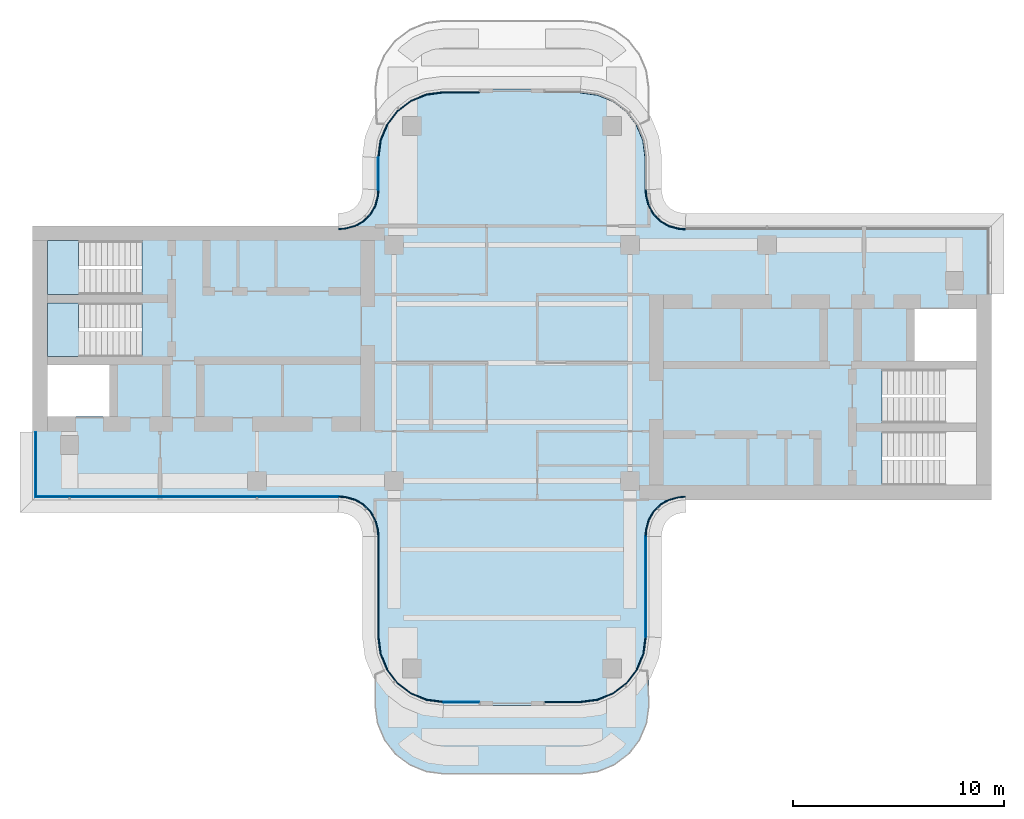
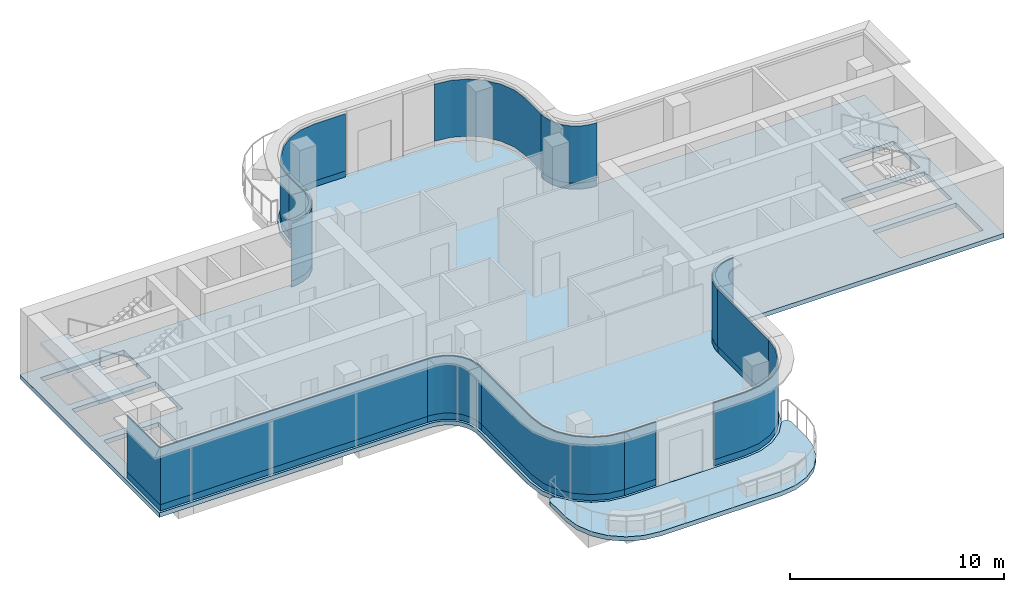
# One storey, part 6 of 11: 25 plates, 4 slabs, 15 elements without a shape of their own.
"""IFC4 building model written with IfcOpenShell, lengths in metres."""

from ifc_helpers import new_model, si_unit, direction, frame, origin, place, context, subcontext, project, spatial, polyline, outline, extrude, source, transform, mapped, material, layer, layer_set, type_object, element, aggregate, save


model = new_model("IFC4")

# Units and contexts
model_context = context("Model", 3, precision=1e-05, world=origin(), true_north=direction((0.0, 1.0)))
body_context = subcontext(model_context, "Body", "Model", "MODEL_VIEW")
ifc_project = project(units=[si_unit("LENGTHUNIT", "METRE"), si_unit("AREAUNIT", "SQUARE_METRE"), si_unit("VOLUMEUNIT", "CUBIC_METRE"), si_unit("PLANEANGLEUNIT", "RADIAN"), si_unit("MASSUNIT", "GRAM", prefix="KILO")], contexts=[model_context])

# Site, building, storey
site_placement = place(None, origin())
site = spatial("IfcSite", under=ifc_project, at=site_placement, CompositionType="ELEMENT")
building_placement = place(site_placement, origin())
building = spatial("IfcBuilding", under=site, at=building_placement, Name="Trellis Farm Tower", CompositionType="ELEMENT")
storey_placement = place(building_placement, frame((0.0, 0.0, 346.10009765625)))
storey = spatial("IfcBuildingStorey", under=building, at=storey_placement, Name="L78", CompositionType="ELEMENT", Elevation=346.10009765625)

# Curtain wall, plate
ifc_material_1 = material(Name="Aluminium and glass curtain wall", Category="aluminium")
ifc_layer_1 = layer(ifc_material_1, 0.176025390625)
ifc_layer_set_1 = layer_set([ifc_layer_1], Name="CROWN LANTERN CURTAIN WALL CW5")
curtain_wall_type = type_object("IfcCurtainWallType", Name="CROWN LANTERN CURTAIN WALL CW5", PredefinedType="NOTDEFINED", material=ifc_layer_set_1)
placement_1 = place(storey_placement, origin())
curtain_wall_1 = element("IfcCurtainWall", 1, at=placement_1, inside=storey, type_object=curtain_wall_type, Name="CW5 002", PredefinedType="NOTDEFINED")
ifc_material_2 = material(Name="Clear insulated glass", Category="glass")
ifc_layer_2 = layer(ifc_material_2, 0.055908203125)
ifc_layer_set_2 = layer_set([ifc_layer_2], Name="CW5 GLASS PANEL 56")
plate_type_1 = type_object("IfcPlateType", Name="CW5 GLASS PANEL 56", PredefinedType="CURTAIN_PANEL", material=ifc_layer_set_2)
placement_2 = place(storey_placement, frame((0.0, 0.0, 0.349853515625)))
plate_1 = element("IfcPlate", 2, at=placement_2, type_object=plate_type_1, Name="PL5 002", PredefinedType="CURTAIN_PANEL", context=body_context, shape_type="SweptSolid", body=[
    extrude(outline(polyline([(-3.2421875, -16.1298828125), (-1.56005859375, -16.1298828125), (-1.56005859375, -16.073974609375), (-3.238525390625, -16.073974609375), (-3.2421875, -16.1298828125)])), origin(), (0.0, 0.0, 1.0), 3.25),
])

curtain_wall_2 = element("IfcCurtainWall", 3, at=placement_1, inside=storey, type_object=curtain_wall_type, Name="CW5 003", PredefinedType="NOTDEFINED")
plate_2 = element("IfcPlate", 4, at=placement_2, type_object=plate_type_1, Name="PL5 003", PredefinedType="CURTAIN_PANEL", context=body_context, shape_type="SweptSolid", body=[
    extrude(outline(polyline([(1.56005859375, -16.1298828125), (3.2421875, -16.1298828125), (4.059814453125, -16.0224609375), (4.814453125, -15.709716796875), (5.46240234375, -15.21240234375), (5.959716796875, -14.564453125), (6.2724609375, -13.809814453125), (6.3798828125, -12.9921875), (6.323974609375, -12.988525390625), (6.2177734375, -13.795166015625), (5.910888671875, -14.5361328125), (5.422607421875, -15.172607421875), (4.7861328125, -15.660888671875), (4.045166015625, -15.9677734375), (3.238525390625, -16.073974609375), (1.56005859375, -16.073974609375), (1.56005859375, -16.1298828125)])), origin(), (0.0, 0.0, 1.0), 3.25),
])

curtain_wall_3 = element("IfcCurtainWall", 5, at=placement_1, inside=storey, type_object=curtain_wall_type, Name="CW5 011", PredefinedType="NOTDEFINED")
plate_3 = element("IfcPlate", 6, at=placement_2, type_object=plate_type_1, Name="PL5 011", PredefinedType="CURTAIN_PANEL", context=body_context, shape_type="SweptSolid", body=[
    extrude(outline(polyline([(-1.56005859375, 12.8798828125), (-3.2421875, 12.8798828125), (-4.059814453125, 12.7724609375), (-4.814453125, 12.459716796875), (-5.46240234375, 11.96240234375), (-5.959716796875, 11.314453125), (-6.2724609375, 10.559814453125), (-6.3798828125, 9.7421875), (-6.323974609375, 9.738525390625), (-6.2177734375, 10.545166015625), (-5.910888671875, 11.2861328125), (-5.422607421875, 11.922607421875), (-4.7861328125, 12.410888671875), (-4.045166015625, 12.7177734375), (-3.238525390625, 12.823974609375), (-1.56005859375, 12.823974609375), (-1.56005859375, 12.8798828125)])), origin(), (0.0, 0.0, 1.0), 3.25),
])

# Plate
ifc_material_3 = material(Name="Sandstone faced insulated panel", Category="masonry")
ifc_layer_3 = layer(ifc_material_3, 0.044921875)
ifc_layer_set_3 = layer_set([ifc_layer_3], Name="CW5 STONE SPANDREL PANEL 45")
plate_type_2 = type_object("IfcPlateType", Name="CW5 STONE SPANDREL PANEL 45", PredefinedType="CURTAIN_PANEL", material=ifc_layer_set_3)
plate_4 = element("IfcPlate", 7, at=placement_1, type_object=plate_type_2, Name="PS5 002", PredefinedType="CURTAIN_PANEL", context=body_context, shape_type="SweptSolid", body=[
    extrude(outline(polyline([(-3.2421875, -16.1298828125), (-1.56005859375, -16.1298828125), (-1.56005859375, -16.0849609375), (-3.2392578125, -16.0849609375), (-3.2421875, -16.1298828125)])), origin(), (0.0, 0.0, 1.0), 0.349853515625),
])

aggregate(curtain_wall_1, [plate_1, plate_4])

plate_5 = element("IfcPlate", 8, at=placement_1, type_object=plate_type_2, Name="PS5 003", PredefinedType="CURTAIN_PANEL", context=body_context, shape_type="SweptSolid", body=[
    extrude(outline(polyline([(1.56005859375, -16.1298828125), (3.2421875, -16.1298828125), (4.059814453125, -16.0224609375), (4.814453125, -15.709716796875), (5.46240234375, -15.21240234375), (5.959716796875, -14.564453125), (6.2724609375, -13.809814453125), (6.3798828125, -12.9921875), (6.3349609375, -12.9892578125), (6.228515625, -13.798095703125), (5.92041015625, -14.541748046875), (5.430419921875, -15.180419921875), (4.791748046875, -15.67041015625), (4.048095703125, -15.978515625), (3.2392578125, -16.0849609375), (1.56005859375, -16.0849609375), (1.56005859375, -16.1298828125)])), origin(), (0.0, 0.0, 1.0), 0.349853515625),
])

aggregate(curtain_wall_2, [plate_2, plate_5])

plate_6 = element("IfcPlate", 9, at=placement_1, type_object=plate_type_2, Name="PS5 011", PredefinedType="CURTAIN_PANEL", context=body_context, shape_type="SweptSolid", body=[
    extrude(outline(polyline([(-1.56005859375, 12.8798828125), (-3.2421875, 12.8798828125), (-4.059814453125, 12.7724609375), (-4.814453125, 12.459716796875), (-5.46240234375, 11.96240234375), (-5.959716796875, 11.314453125), (-6.2724609375, 10.559814453125), (-6.3798828125, 9.7421875), (-6.3349609375, 9.7392578125), (-6.228515625, 10.548095703125), (-5.92041015625, 11.291748046875), (-5.430419921875, 11.930419921875), (-4.791748046875, 12.42041015625), (-4.048095703125, 12.728515625), (-3.2392578125, 12.8349609375), (-1.56005859375, 12.8349609375), (-1.56005859375, 12.8798828125)])), origin(), (0.0, 0.0, 1.0), 0.349853515625),
])

aggregate(curtain_wall_3, [plate_3, plate_6])

# Slabs
ifc_material_4 = material(Name="Concrete C40/50", Category="concrete")
ifc_layer_4 = layer(ifc_material_4, 0.25)
ifc_layer_set_4 = layer_set([ifc_layer_4], Name="Terrace slab on composite deck 250")
slab_type_1 = type_object("IfcSlabType", Name="Terrace slab on composite deck 250", PredefinedType="FLOOR", material=ifc_layer_set_4)
placement_3 = place(storey_placement, frame((0.0, 0.0, -0.25)))
element("IfcSlab", 10, at=placement_3, inside=storey, type_object=slab_type_1, Name="Terrace slab", PredefinedType="FLOOR", context=body_context, shape_type="SweptSolid", body=[
    extrude(outline(polyline([(-6.228271484375, -14.544921875), (-6.052978515625, -14.64111328125), (-5.548583984375, -15.298583984375), (-4.875244140625, -15.815185546875), (-4.09130859375, -16.139892578125), (-3.25, -16.25048828125), (3.25, -16.25048828125), (4.09130859375, -16.139892578125), (4.875244140625, -15.815185546875), (5.548583984375, -15.298583984375), (6.052978515625, -14.64111328125), (6.228271484375, -14.544921875), (6.4189453125, -14.609619140625), (6.5, -14.7939453125), (6.5, -16.233642578125), (6.497802734375, -16.26611328125), (6.3935546875, -17.05859375), (6.376708984375, -17.12158203125), (6.0771484375, -17.844482421875), (6.04443359375, -17.901123046875), (5.568115234375, -18.52197265625), (5.52197265625, -18.568115234375), (4.901123046875, -19.04443359375), (4.844482421875, -19.0771484375), (4.12158203125, -19.376708984375), (4.05859375, -19.3935546875), (3.26611328125, -19.497802734375), (3.233642578125, -19.5), (-3.233642578125, -19.5), (-3.26611328125, -19.497802734375), (-4.05859375, -19.3935546875), (-4.12158203125, -19.376708984375), (-4.844482421875, -19.0771484375), (-4.901123046875, -19.04443359375), (-5.52197265625, -18.568115234375), (-5.568115234375, -18.52197265625), (-6.04443359375, -17.901123046875), (-6.0771484375, -17.844482421875), (-6.376708984375, -17.12158203125), (-6.3935546875, -17.05859375), (-6.497802734375, -16.26611328125), (-6.5, -16.233642578125), (-6.5, -14.7939453125), (-6.4189453125, -14.609619140625), (-6.228271484375, -14.544921875)])), origin(), (0.0, 0.0, 1.0), 0.25),
])
ifc_layer_5 = layer(ifc_material_4, 0.25)
ifc_layer_set_5 = layer_set([ifc_layer_5], Name="Composite deck floor slab 250")
slab_type_2 = type_object("IfcSlabType", Name="Composite deck floor slab 250", PredefinedType="FLOOR", material=ifc_layer_set_5)
shared_shape_1 = source(origin(), body_context, "Body", "SweptSolid", [
    extrude(outline(polyline([(-22.75, 6.5), (-8.2314453125, 6.5), (-8.01953125, 6.513916015625), (-7.91552734375, 6.527587890625), (-7.508544921875, 6.63671875), (-7.144287109375, 6.846923828125), (-6.846923828125, 7.144287109375), (-6.63671875, 7.508544921875), (-6.527587890625, 7.91552734375), (-6.513916015625, 8.01953125), (-6.5, 8.2314453125), (-6.5, 9.75), (-6.389404296875, 10.59130859375), (-6.064697265625, 11.375), (-5.548095703125, 12.048095703125), (-4.875, 12.564697265625), (-4.09130859375, 12.889404296875), (-3.25, 13.0), (3.25, 13.0), (4.09130859375, 12.889404296875), (4.875, 12.564697265625), (5.548095703125, 12.048095703125), (6.064697265625, 11.375), (6.389404296875, 10.59130859375), (6.5, 9.75), (6.5, 8.2314453125), (6.513916015625, 8.01953125), (6.527587890625, 7.91552734375), (6.63671875, 7.508544921875), (6.846923828125, 7.144287109375), (7.144287109375, 6.846923828125), (7.508544921875, 6.63671875), (7.91552734375, 6.527587890625), (8.01953125, 6.513916015625), (8.2314453125, 6.5), (22.75, 6.5), (22.75, -6.5), (8.2314453125, -6.5), (8.01953125, -6.513916015625), (7.91552734375, -6.527587890625), (7.508544921875, -6.63671875), (7.144287109375, -6.846923828125), (6.846923828125, -7.144287109375), (6.63671875, -7.508544921875), (6.527587890625, -7.91552734375), (6.513916015625, -8.01953125), (6.5, -8.2314453125), (6.5, -13.0), (6.389404296875, -13.84130859375), (6.064697265625, -14.625), (5.548095703125, -15.298095703125), (4.875, -15.814697265625), (4.09130859375, -16.139404296875), (3.25, -16.25), (-3.25, -16.25), (-4.09130859375, -16.139404296875), (-4.875, -15.814697265625), (-5.548095703125, -15.298095703125), (-6.064697265625, -14.625), (-6.389404296875, -13.84130859375), (-6.5, -13.0), (-6.5, -8.2314453125), (-6.513916015625, -8.01953125), (-6.527587890625, -7.91552734375), (-6.63671875, -7.508544921875), (-6.846923828125, -7.144287109375), (-7.144287109375, -6.846923828125), (-7.508544921875, -6.63671875), (-7.91552734375, -6.527587890625), (-8.01953125, -6.513916015625), (-8.2314453125, -6.5), (-22.75, -6.5), (-22.75, 6.5)]), holes=[polyline([(22.050048828125, -5.800048828125), (22.050048828125, -3.25), (17.56005859375, -3.25), (17.56005859375, -4.449951171875), (17.550048828125, -4.449951171875), (17.550048828125, -4.60009765625), (17.56201171875, -4.60009765625), (17.56201171875, -5.800048828125), (22.050048828125, -5.800048828125)]), polyline([(17.56201171875, -2.85009765625), (22.050048828125, -2.85009765625), (22.050048828125, -0.300048828125), (17.56005859375, -0.300048828125), (17.56005859375, -1.5), (17.550048828125, -1.5), (17.550048828125, -1.64990234375), (17.56201171875, -1.64990234375), (17.56201171875, -2.85009765625)]), polyline([(-22.050048828125, -2.550048828125), (-19.10009765625, -2.550048828125), (-19.10009765625, -0.10009765625), (-22.050048828125, -0.10009765625), (-22.050048828125, -2.550048828125)]), polyline([(19.10009765625, 2.550048828125), (19.10009765625, 0.10009765625), (22.050048828125, 0.10009765625), (22.050048828125, 2.550048828125), (19.10009765625, 2.550048828125)]), polyline([(-17.56201171875, 2.85009765625), (-22.050048828125, 2.85009765625), (-22.050048828125, 0.300048828125), (-17.56005859375, 0.300048828125), (-17.56005859375, 1.5), (-17.550048828125, 1.5), (-17.550048828125, 1.64990234375), (-17.56201171875, 1.64990234375), (-17.56201171875, 2.85009765625)]), polyline([(-17.56201171875, 5.800048828125), (-22.050048828125, 5.800048828125), (-22.050048828125, 3.25), (-17.56005859375, 3.25), (-17.56005859375, 4.449951171875), (-17.550048828125, 4.449951171875), (-17.550048828125, 4.60009765625), (-17.56201171875, 4.60009765625), (-17.56201171875, 5.800048828125)])]), origin(), (0.0, 0.0, 1.0), 0.25),
])
element("IfcSlab", 11, at=placement_3, inside=storey, type_object=slab_type_2, Name="Floor slab", PredefinedType="FLOOR", context=body_context, shape_type="MappedRepresentation", body=[
    mapped(shared_shape_1, transform((0.0, 0.0, 0.0))),
])

# Stair, slab
ifc_material_5 = material(Name="Concrete C50/60", Category="concrete")
stair_type = type_object("IfcStairType", Name="CORE EXIT STAIR 24 RISERS 167 MM", PredefinedType="HALF_TURN_STAIR", material=ifc_material_5)
stair_1 = element("IfcStair", 12, at=placement_1, inside=storey, type_object=stair_type, Name="Exit stair W1", PredefinedType="HALF_TURN_STAIR")
ifc_layer_6 = layer(ifc_material_5, 0.179931640625)
ifc_layer_set_6 = layer_set([ifc_layer_6], Name="CORE STAIR LANDING 180 CONCRETE C50/60")
slab_type_3 = type_object("IfcSlabType", Name="CORE STAIR LANDING 180 CONCRETE C50/60", PredefinedType="LANDING", material=ifc_layer_set_6)
shared_shape_2 = source(origin(), body_context, "Body", "SweptSolid", [
    extrude(outline(polyline([(-20.21240234375, 4.449951171875), (-20.21240234375, 3.25), (-20.574951171875, 3.25), (-22.050048828125, 3.25), (-22.050048828125, 5.800048828125), (-20.574951171875, 5.800048828125), (-20.56494140625, 5.800048828125), (-20.56494140625, 4.60009765625), (-20.574951171875, 4.60009765625), (-20.574951171875, 4.449951171875), (-20.21240234375, 4.449951171875)])), origin(), (0.0, 0.0, 1.0), 0.18017578125),
])
placement_4 = place(storey_placement, frame((0.0, 0.0, 1.81982421875)))
slab_3 = element("IfcSlab", 13, at=placement_4, type_object=slab_type_3, Name="STW1 landing 1", PredefinedType="LANDING", context=body_context, shape_type="MappedRepresentation", body=[
    mapped(shared_shape_2, transform((0.0, 0.0, 0.0))),
])
aggregate(stair_1, [slab_3])

stair_2 = element("IfcStair", 14, at=placement_1, inside=storey, type_object=stair_type, Name="Exit stair W2", PredefinedType="HALF_TURN_STAIR")
shared_shape_3 = source(origin(), body_context, "Body", "SweptSolid", [
    extrude(outline(polyline([(-20.21240234375, 1.5), (-20.21240234375, 0.300048828125), (-20.574951171875, 0.300048828125), (-22.050048828125, 0.300048828125), (-22.050048828125, 2.85009765625), (-20.574951171875, 2.85009765625), (-20.56494140625, 2.85009765625), (-20.56494140625, 1.64990234375), (-20.574951171875, 1.64990234375), (-20.574951171875, 1.5), (-20.21240234375, 1.5)])), origin(), (0.0, 0.0, 1.0), 0.18017578125),
])
slab_4 = element("IfcSlab", 15, at=placement_4, type_object=slab_type_3, Name="STW2 landing 1", PredefinedType="LANDING", context=body_context, shape_type="MappedRepresentation", body=[
    mapped(shared_shape_3, transform((0.0, 0.0, 0.0))),
])
aggregate(stair_2, [slab_4])

# Curtain wall, plates
curtain_wall_4 = element("IfcCurtainWall", 16, at=placement_1, inside=storey, type_object=curtain_wall_type, Name="CW5 005", PredefinedType="NOTDEFINED")
shared_shape_4 = source(origin(), body_context, "Body", "SweptSolid", [
    extrude(outline(polyline([(6.3798828125, -8.2275390625), (6.394287109375, -8.0078125), (6.40966796875, -7.89208984375), (6.52490234375, -7.462158203125), (6.7509765625, -7.070556640625), (7.070556640625, -6.7509765625), (7.462158203125, -6.52490234375), (7.89208984375, -6.40966796875), (8.0078125, -6.394287109375), (8.2275390625, -6.3798828125), (8.2255859375, -6.323974609375), (8.002197265625, -6.338623046875), (7.881103515625, -6.3544921875), (7.440673828125, -6.47265625), (7.0361328125, -6.7060546875), (6.7060546875, -7.0361328125), (6.47265625, -7.440673828125), (6.3544921875, -7.881103515625), (6.338623046875, -8.002197265625), (6.323974609375, -8.2255859375), (6.3798828125, -8.2275390625)])), origin(), (0.0, 0.0, 1.0), 3.25),
])
plate_7 = element("IfcPlate", 17, at=placement_2, type_object=plate_type_1, Name="PL5 005", PredefinedType="CURTAIN_PANEL", context=body_context, shape_type="MappedRepresentation", body=[
    mapped(shared_shape_4, transform((0.0, 0.0, 0.0))),
])
shared_shape_5 = source(origin(), body_context, "Body", "SweptSolid", [
    extrude(outline(polyline([(6.3798828125, -8.2275390625), (6.394287109375, -8.0078125), (6.40966796875, -7.89208984375), (6.52490234375, -7.462158203125), (6.7509765625, -7.070556640625), (7.070556640625, -6.7509765625), (7.462158203125, -6.52490234375), (7.89208984375, -6.40966796875), (8.0078125, -6.394287109375), (8.2275390625, -6.3798828125), (8.22607421875, -6.3349609375), (8.00341796875, -6.349609375), (7.88330078125, -6.365478515625), (7.44482421875, -6.48291015625), (7.04296875, -6.71484375), (6.71484375, -7.04296875), (6.48291015625, -7.44482421875), (6.365478515625, -7.88330078125), (6.349609375, -8.00341796875), (6.3349609375, -8.22607421875), (6.3798828125, -8.2275390625)])), origin(), (0.0, 0.0, 1.0), 0.349853515625),
])
plate_8 = element("IfcPlate", 18, at=placement_1, type_object=plate_type_2, Name="PS5 005", PredefinedType="CURTAIN_PANEL", context=body_context, shape_type="MappedRepresentation", body=[
    mapped(shared_shape_5, transform((0.0, 0.0, 0.0))),
])
aggregate(curtain_wall_4, [plate_7, plate_8])

curtain_wall_5 = element("IfcCurtainWall", 19, at=placement_1, inside=storey, type_object=curtain_wall_type, Name="CW5 008", PredefinedType="NOTDEFINED")
shared_shape_6 = source(origin(), body_context, "Body", "SweptSolid", [
    extrude(outline(polyline([(8.2275390625, 6.3798828125), (8.0078125, 6.394287109375), (7.89208984375, 6.40966796875), (7.462158203125, 6.52490234375), (7.070556640625, 6.7509765625), (6.7509765625, 7.070556640625), (6.52490234375, 7.462158203125), (6.40966796875, 7.89208984375), (6.394287109375, 8.0078125), (6.3798828125, 8.2275390625), (6.323974609375, 8.2255859375), (6.338623046875, 8.002197265625), (6.3544921875, 7.881103515625), (6.47265625, 7.440673828125), (6.7060546875, 7.0361328125), (7.0361328125, 6.7060546875), (7.440673828125, 6.47265625), (7.881103515625, 6.3544921875), (8.002197265625, 6.338623046875), (8.2255859375, 6.323974609375), (8.2275390625, 6.3798828125)])), origin(), (0.0, 0.0, 1.0), 3.25),
])
plate_9 = element("IfcPlate", 20, at=placement_2, type_object=plate_type_1, Name="PL5 008", PredefinedType="CURTAIN_PANEL", context=body_context, shape_type="MappedRepresentation", body=[
    mapped(shared_shape_6, transform((0.0, 0.0, 0.0))),
])
shared_shape_7 = source(origin(), body_context, "Body", "SweptSolid", [
    extrude(outline(polyline([(8.2275390625, 6.3798828125), (8.0078125, 6.394287109375), (7.89208984375, 6.40966796875), (7.462158203125, 6.52490234375), (7.070556640625, 6.7509765625), (6.7509765625, 7.070556640625), (6.52490234375, 7.462158203125), (6.40966796875, 7.89208984375), (6.394287109375, 8.0078125), (6.3798828125, 8.2275390625), (6.3349609375, 8.22607421875), (6.349609375, 8.00341796875), (6.365478515625, 7.88330078125), (6.48291015625, 7.44482421875), (6.71484375, 7.04296875), (7.04296875, 6.71484375), (7.44482421875, 6.48291015625), (7.88330078125, 6.365478515625), (8.00341796875, 6.349609375), (8.22607421875, 6.3349609375), (8.2275390625, 6.3798828125)])), origin(), (0.0, 0.0, 1.0), 0.349853515625),
])
plate_10 = element("IfcPlate", 21, at=placement_1, type_object=plate_type_2, Name="PS5 008", PredefinedType="CURTAIN_PANEL", context=body_context, shape_type="MappedRepresentation", body=[
    mapped(shared_shape_7, transform((0.0, 0.0, 0.0))),
])
aggregate(curtain_wall_5, [plate_9, plate_10])

curtain_wall_6 = element("IfcCurtainWall", 22, at=placement_1, inside=storey, type_object=curtain_wall_type, Name="CW5 013", PredefinedType="NOTDEFINED")
shared_shape_8 = source(origin(), body_context, "Body", "SweptSolid", [
    extrude(outline(polyline([(-6.3798828125, 8.2275390625), (-6.394287109375, 8.0078125), (-6.40966796875, 7.89208984375), (-6.52490234375, 7.462158203125), (-6.7509765625, 7.070556640625), (-7.070556640625, 6.7509765625), (-7.462158203125, 6.52490234375), (-7.89208984375, 6.40966796875), (-8.0078125, 6.394287109375), (-8.2275390625, 6.3798828125), (-8.2255859375, 6.323974609375), (-8.002197265625, 6.338623046875), (-7.881103515625, 6.3544921875), (-7.440673828125, 6.47265625), (-7.0361328125, 6.7060546875), (-6.7060546875, 7.0361328125), (-6.47265625, 7.440673828125), (-6.3544921875, 7.881103515625), (-6.338623046875, 8.002197265625), (-6.323974609375, 8.2255859375), (-6.3798828125, 8.2275390625)])), origin(), (0.0, 0.0, 1.0), 3.25),
])
plate_11 = element("IfcPlate", 23, at=placement_2, type_object=plate_type_1, Name="PL5 013", PredefinedType="CURTAIN_PANEL", context=body_context, shape_type="MappedRepresentation", body=[
    mapped(shared_shape_8, transform((0.0, 0.0, 0.0))),
])
shared_shape_9 = source(origin(), body_context, "Body", "SweptSolid", [
    extrude(outline(polyline([(-6.3798828125, 8.2275390625), (-6.394287109375, 8.0078125), (-6.40966796875, 7.89208984375), (-6.52490234375, 7.462158203125), (-6.7509765625, 7.070556640625), (-7.070556640625, 6.7509765625), (-7.462158203125, 6.52490234375), (-7.89208984375, 6.40966796875), (-8.0078125, 6.394287109375), (-8.2275390625, 6.3798828125), (-8.22607421875, 6.3349609375), (-8.00341796875, 6.349609375), (-7.88330078125, 6.365478515625), (-7.44482421875, 6.48291015625), (-7.04296875, 6.71484375), (-6.71484375, 7.04296875), (-6.48291015625, 7.44482421875), (-6.365478515625, 7.88330078125), (-6.349609375, 8.00341796875), (-6.3349609375, 8.22607421875), (-6.3798828125, 8.2275390625)])), origin(), (0.0, 0.0, 1.0), 0.349853515625),
])
plate_12 = element("IfcPlate", 24, at=placement_1, type_object=plate_type_2, Name="PS5 013", PredefinedType="CURTAIN_PANEL", context=body_context, shape_type="MappedRepresentation", body=[
    mapped(shared_shape_9, transform((0.0, 0.0, 0.0))),
])
aggregate(curtain_wall_6, [plate_11, plate_12])

curtain_wall_7 = element("IfcCurtainWall", 25, at=placement_1, inside=storey, type_object=curtain_wall_type, Name="CW5 015", PredefinedType="NOTDEFINED")
shared_shape_10 = source(origin(), body_context, "Body", "SweptSolid", [
    extrude(outline(polyline([(-22.6298828125, -6.3798828125), (-8.2275390625, -6.3798828125), (-8.2255859375, -6.323974609375), (-22.573974609375, -6.323974609375), (-22.6298828125, -6.3798828125)])), origin(), (0.0, 0.0, 1.0), 3.25),
])
plate_13 = element("IfcPlate", 26, at=placement_2, type_object=plate_type_1, Name="PL5 015", PredefinedType="CURTAIN_PANEL", context=body_context, shape_type="MappedRepresentation", body=[
    mapped(shared_shape_10, transform((0.0, 0.0, 0.0))),
])
shared_shape_11 = source(origin(), body_context, "Body", "SweptSolid", [
    extrude(outline(polyline([(-22.6298828125, -6.3798828125), (-8.2275390625, -6.3798828125), (-8.22607421875, -6.3349609375), (-22.5849609375, -6.3349609375), (-22.6298828125, -6.3798828125)])), origin(), (0.0, 0.0, 1.0), 0.349853515625),
])
plate_14 = element("IfcPlate", 27, at=placement_1, type_object=plate_type_2, Name="PS5 015", PredefinedType="CURTAIN_PANEL", context=body_context, shape_type="MappedRepresentation", body=[
    mapped(shared_shape_11, transform((0.0, 0.0, 0.0))),
])
aggregate(curtain_wall_7, [plate_13, plate_14])

curtain_wall_8 = element("IfcCurtainWall", 28, at=placement_1, inside=storey, type_object=curtain_wall_type, Name="CW5 016", PredefinedType="NOTDEFINED")
shared_shape_12 = source(origin(), body_context, "Body", "SweptSolid", [
    extrude(outline(polyline([(-8.2275390625, -6.3798828125), (-8.0078125, -6.394287109375), (-7.89208984375, -6.40966796875), (-7.462158203125, -6.52490234375), (-7.070556640625, -6.7509765625), (-6.7509765625, -7.070556640625), (-6.52490234375, -7.462158203125), (-6.40966796875, -7.89208984375), (-6.394287109375, -8.0078125), (-6.3798828125, -8.2275390625), (-6.323974609375, -8.2255859375), (-6.338623046875, -8.002197265625), (-6.3544921875, -7.881103515625), (-6.47265625, -7.440673828125), (-6.7060546875, -7.0361328125), (-7.0361328125, -6.7060546875), (-7.440673828125, -6.47265625), (-7.881103515625, -6.3544921875), (-8.002197265625, -6.338623046875), (-8.2255859375, -6.323974609375), (-8.2275390625, -6.3798828125)])), origin(), (0.0, 0.0, 1.0), 3.25),
])
plate_15 = element("IfcPlate", 29, at=placement_2, type_object=plate_type_1, Name="PL5 016", PredefinedType="CURTAIN_PANEL", context=body_context, shape_type="MappedRepresentation", body=[
    mapped(shared_shape_12, transform((0.0, 0.0, 0.0))),
])
shared_shape_13 = source(origin(), body_context, "Body", "SweptSolid", [
    extrude(outline(polyline([(-8.2275390625, -6.3798828125), (-8.0078125, -6.394287109375), (-7.89208984375, -6.40966796875), (-7.462158203125, -6.52490234375), (-7.070556640625, -6.7509765625), (-6.7509765625, -7.070556640625), (-6.52490234375, -7.462158203125), (-6.40966796875, -7.89208984375), (-6.394287109375, -8.0078125), (-6.3798828125, -8.2275390625), (-6.3349609375, -8.22607421875), (-6.349609375, -8.00341796875), (-6.365478515625, -7.88330078125), (-6.48291015625, -7.44482421875), (-6.71484375, -7.04296875), (-7.04296875, -6.71484375), (-7.44482421875, -6.48291015625), (-7.88330078125, -6.365478515625), (-8.00341796875, -6.349609375), (-8.22607421875, -6.3349609375), (-8.2275390625, -6.3798828125)])), origin(), (0.0, 0.0, 1.0), 0.349853515625),
])
plate_16 = element("IfcPlate", 30, at=placement_1, type_object=plate_type_2, Name="PS5 016", PredefinedType="CURTAIN_PANEL", context=body_context, shape_type="MappedRepresentation", body=[
    mapped(shared_shape_13, transform((0.0, 0.0, 0.0))),
])
aggregate(curtain_wall_8, [plate_15, plate_16])

curtain_wall_9 = element("IfcCurtainWall", 31, at=placement_1, inside=storey, type_object=curtain_wall_type, Name="CW5 014", PredefinedType="NOTDEFINED")
shared_shape_14 = source(origin(), body_context, "Body", "SweptSolid", [
    extrude(outline(polyline([(-22.6298828125, -3.280029296875), (-22.6298828125, -6.3798828125), (-22.573974609375, -6.323974609375), (-22.573974609375, -3.280029296875), (-22.6298828125, -3.280029296875)])), origin(), (0.0, 0.0, 1.0), 3.25),
])
plate_17 = element("IfcPlate", 32, at=placement_2, type_object=plate_type_1, Name="PL5 014", PredefinedType="CURTAIN_PANEL", context=body_context, shape_type="MappedRepresentation", body=[
    mapped(shared_shape_14, transform((0.0, 0.0, 0.0))),
])
shared_shape_15 = source(origin(), body_context, "Body", "SweptSolid", [
    extrude(outline(polyline([(-22.6298828125, -3.280029296875), (-22.6298828125, -6.3798828125), (-22.5849609375, -6.3349609375), (-22.5849609375, -3.280029296875), (-22.6298828125, -3.280029296875)])), origin(), (0.0, 0.0, 1.0), 0.349853515625),
])
plate_18 = element("IfcPlate", 33, at=placement_1, type_object=plate_type_2, Name="PS5 014", PredefinedType="CURTAIN_PANEL", context=body_context, shape_type="MappedRepresentation", body=[
    mapped(shared_shape_15, transform((0.0, 0.0, 0.0))),
])
aggregate(curtain_wall_9, [plate_17, plate_18])

curtain_wall_10 = element("IfcCurtainWall", 34, at=placement_1, inside=storey, type_object=curtain_wall_type, Name="CW5 001", PredefinedType="NOTDEFINED")
shared_shape_16 = source(origin(), body_context, "Body", "SweptSolid", [
    extrude(outline(polyline([(-6.3798828125, -8.2275390625), (-6.3798828125, -12.9921875), (-6.2724609375, -13.809814453125), (-5.959716796875, -14.564453125), (-5.46240234375, -15.21240234375), (-4.814453125, -15.709716796875), (-4.059814453125, -16.0224609375), (-3.2421875, -16.1298828125), (-3.238525390625, -16.073974609375), (-4.045166015625, -15.9677734375), (-4.7861328125, -15.660888671875), (-5.422607421875, -15.172607421875), (-5.910888671875, -14.5361328125), (-6.2177734375, -13.795166015625), (-6.323974609375, -12.988525390625), (-6.323974609375, -8.2255859375), (-6.3798828125, -8.2275390625)])), origin(), (0.0, 0.0, 1.0), 3.25),
])
plate_19 = element("IfcPlate", 35, at=placement_2, type_object=plate_type_1, Name="PL5 001", PredefinedType="CURTAIN_PANEL", context=body_context, shape_type="MappedRepresentation", body=[
    mapped(shared_shape_16, transform((0.0, 0.0, 0.0))),
])
shared_shape_17 = source(origin(), body_context, "Body", "SweptSolid", [
    extrude(outline(polyline([(-6.3798828125, -8.2275390625), (-6.3798828125, -12.9921875), (-6.2724609375, -13.809814453125), (-5.959716796875, -14.564453125), (-5.46240234375, -15.21240234375), (-4.814453125, -15.709716796875), (-4.059814453125, -16.0224609375), (-3.2421875, -16.1298828125), (-3.2392578125, -16.0849609375), (-4.048095703125, -15.978515625), (-4.791748046875, -15.67041015625), (-5.430419921875, -15.180419921875), (-5.92041015625, -14.541748046875), (-6.228515625, -13.798095703125), (-6.3349609375, -12.9892578125), (-6.3349609375, -8.22607421875), (-6.3798828125, -8.2275390625)])), origin(), (0.0, 0.0, 1.0), 0.349853515625),
])
plate_20 = element("IfcPlate", 36, at=placement_1, type_object=plate_type_2, Name="PS5 001", PredefinedType="CURTAIN_PANEL", context=body_context, shape_type="MappedRepresentation", body=[
    mapped(shared_shape_17, transform((0.0, 0.0, 0.0))),
])
aggregate(curtain_wall_10, [plate_19, plate_20])

curtain_wall_11 = element("IfcCurtainWall", 37, at=placement_1, inside=storey, type_object=curtain_wall_type, Name="CW5 004", PredefinedType="NOTDEFINED")
shared_shape_18 = source(origin(), body_context, "Body", "SweptSolid", [
    extrude(outline(polyline([(6.3798828125, -12.9921875), (6.3798828125, -8.2275390625), (6.323974609375, -8.2255859375), (6.323974609375, -12.988525390625), (6.3798828125, -12.9921875)])), origin(), (0.0, 0.0, 1.0), 3.25),
])
plate_21 = element("IfcPlate", 38, at=placement_2, type_object=plate_type_1, Name="PL5 004", PredefinedType="CURTAIN_PANEL", context=body_context, shape_type="MappedRepresentation", body=[
    mapped(shared_shape_18, transform((0.0, 0.0, 0.0))),
])
shared_shape_19 = source(origin(), body_context, "Body", "SweptSolid", [
    extrude(outline(polyline([(6.3798828125, -12.9921875), (6.3798828125, -8.2275390625), (6.3349609375, -8.22607421875), (6.3349609375, -12.9892578125), (6.3798828125, -12.9921875)])), origin(), (0.0, 0.0, 1.0), 0.349853515625),
])
plate_22 = element("IfcPlate", 39, at=placement_1, type_object=plate_type_2, Name="PS5 004", PredefinedType="CURTAIN_PANEL", context=body_context, shape_type="MappedRepresentation", body=[
    mapped(shared_shape_19, transform((0.0, 0.0, 0.0))),
])
aggregate(curtain_wall_11, [plate_21, plate_22])

# Curtain wall, plate
curtain_wall_12 = element("IfcCurtainWall", 40, at=placement_1, inside=storey, type_object=curtain_wall_type, Name="CW5 009", PredefinedType="NOTDEFINED")
shared_shape_20 = source(origin(), body_context, "Body", "SweptSolid", [
    extrude(outline(polyline([(6.3798828125, 8.2275390625), (6.3798828125, 9.7421875), (6.2724609375, 10.559814453125), (5.959716796875, 11.314453125), (5.46240234375, 11.96240234375), (4.814453125, 12.459716796875), (4.059814453125, 12.7724609375), (3.2421875, 12.8798828125), (3.238525390625, 12.823974609375), (4.045166015625, 12.7177734375), (4.7861328125, 12.410888671875), (5.422607421875, 11.922607421875), (5.910888671875, 11.2861328125), (6.2177734375, 10.545166015625), (6.323974609375, 9.738525390625), (6.323974609375, 8.2255859375), (6.3798828125, 8.2275390625)])), origin(), (0.0, 0.0, 1.0), 3.25),
])
plate_23 = element("IfcPlate", 41, at=placement_2, type_object=plate_type_1, Name="PL5 009", PredefinedType="CURTAIN_PANEL", context=body_context, shape_type="MappedRepresentation", body=[
    mapped(shared_shape_20, transform((0.0, 0.0, 0.0))),
])
aggregate(curtain_wall_12, [plate_23])

# Curtain wall, plates
curtain_wall_13 = element("IfcCurtainWall", 42, at=placement_1, inside=storey, type_object=curtain_wall_type, Name="CW5 012", PredefinedType="NOTDEFINED")
shared_shape_21 = source(origin(), body_context, "Body", "SweptSolid", [
    extrude(outline(polyline([(-6.3798828125, 9.7421875), (-6.3798828125, 8.2275390625), (-6.323974609375, 8.2255859375), (-6.323974609375, 9.738525390625), (-6.3798828125, 9.7421875)])), origin(), (0.0, 0.0, 1.0), 3.25),
])
plate_24 = element("IfcPlate", 43, at=placement_2, type_object=plate_type_1, Name="PL5 012", PredefinedType="CURTAIN_PANEL", context=body_context, shape_type="MappedRepresentation", body=[
    mapped(shared_shape_21, transform((0.0, 0.0, 0.0))),
])
shared_shape_22 = source(origin(), body_context, "Body", "SweptSolid", [
    extrude(outline(polyline([(-6.3798828125, 9.7421875), (-6.3798828125, 8.2275390625), (-6.3349609375, 8.22607421875), (-6.3349609375, 9.7392578125), (-6.3798828125, 9.7421875)])), origin(), (0.0, 0.0, 1.0), 0.349853515625),
])
plate_25 = element("IfcPlate", 44, at=placement_1, type_object=plate_type_2, Name="PS5 012", PredefinedType="CURTAIN_PANEL", context=body_context, shape_type="MappedRepresentation", body=[
    mapped(shared_shape_22, transform((0.0, 0.0, 0.0))),
])
aggregate(curtain_wall_13, [plate_24, plate_25])

save(model, "model.ifc")
